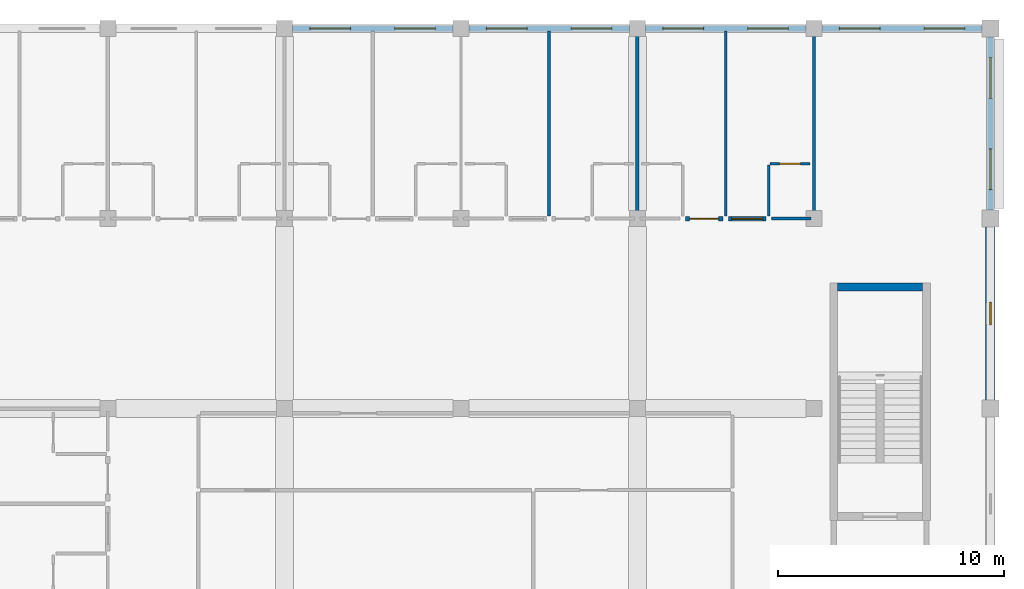
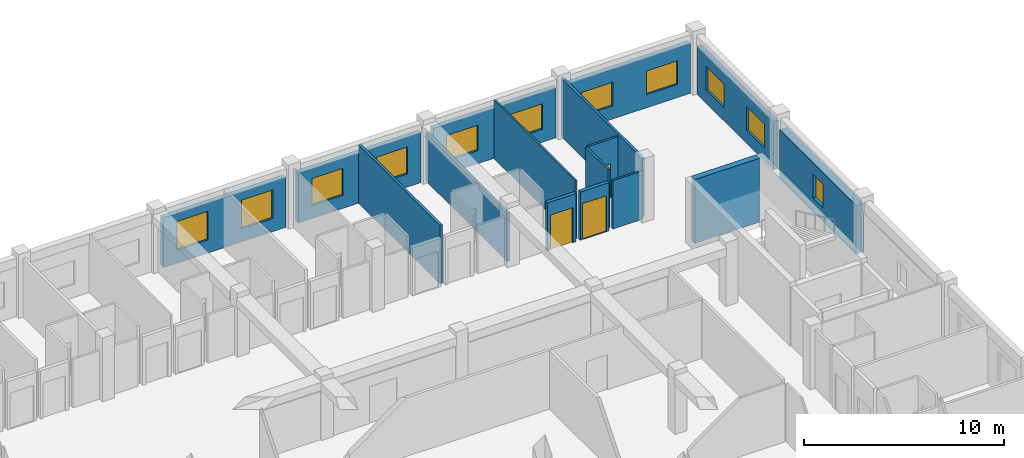
# One storey, part 63 of 72: 16 walls, 11 windows, 3 doors, 14 openings.
"""IFC4 building model written with IfcOpenShell, lengths in metres."""

from ifc_helpers import new_model, si_unit, direction, frame, frame_2d, origin, place, context, subcontext, project, spatial, rectangle, extrude, material, layer, layer_set, type_object, element, fill, save


model = new_model("IFC4")

# Units and contexts
model_context = context("Model", 3, precision=1e-05, world=origin(), true_north=direction((0.0, 1.0)))
body_context = subcontext(model_context, "Body", "Model", "MODEL_VIEW")
ifc_project = project(units=[si_unit("LENGTHUNIT", "METRE"), si_unit("AREAUNIT", "SQUARE_METRE"), si_unit("VOLUMEUNIT", "CUBIC_METRE"), si_unit("PLANEANGLEUNIT", "RADIAN"), si_unit("MASSUNIT", "GRAM", prefix="KILO"), si_unit("THERMODYNAMICTEMPERATUREUNIT", "KELVIN"), si_unit("POWERUNIT", "WATT")], contexts=[model_context])

# Site, building, storey
site_placement = place(None, origin())
site = spatial("IfcSite", under=ifc_project, at=site_placement, CompositionType="ELEMENT")
building_placement = place(site_placement, origin())
building = spatial("IfcBuilding", under=site, at=building_placement, Name="Srebrne Nadtorze General Hospital", CompositionType="ELEMENT")
storey_placement = place(building_placement, frame((0.0, 0.0, 22.199951171875)))
storey = spatial("IfcBuildingStorey", under=building, at=storey_placement, Name="L05", CompositionType="ELEMENT", Elevation=22.199951171875)

# Wall, opening, window
ifc_material_1 = material(Name="Concrete C40/50", Category="concrete")
ifc_layer_1 = layer(ifc_material_1, 0.419921875)
ifc_layer_set_1 = layer_set([ifc_layer_1], Name="Concrete C40/50")
wall_type_1 = type_object("IfcWallType", Name="Acoustic buffer wall 420", PredefinedType="SOLIDWALL", material=ifc_layer_set_1)
wall_1_placement = place(storey_placement, frame((148.199951171875, 75.97509765625, 0.0), z_axis=(0.0, 0.0, 1.0), x_axis=(0.0, 1.0, 0.0)))
wall_1 = element("IfcWall", 1, at=wall_1_placement, inside=storey, type_object=wall_type_1, Name="Exterior wall WL-ENV-L05-0458", PredefinedType="SOLIDWALL", context=body_context, shape_type="SweptSolid", body=[
    extrude(rectangle(XDim=7.64990234375, YDim=0.419921875, at=frame_2d((3.824951171875, 0.0))), origin(), (0.0, 0.0, 1.0), 2.949951171875),
])
opening_1_placement = place(wall_1_placement, frame((3.324951171875, 0.0, 0.800048828125)))
opening_1 = element("IfcOpeningElement", 2, at=opening_1_placement, cuts=wall_1, Name="Opening WN-L05-0750", PredefinedType="OPENING", context=body_context, shape_type="SweptSolid", body=[
    extrude(rectangle(XDim=1.0, YDim=1.449951171875, at=frame_2d((0.5, 0.72509765625))), frame((0.0, 0.221923828125, 0.0), z_axis=(0.0, -1.0, 0.0), x_axis=(1.0, 0.0, 0.0)), (0.0, 0.0, 1.0), 0.44384765625),
])
ifc_material_2 = material(Name="Triple Low-E Glazing", Category="glass")
window_type_1 = type_object("IfcWindowType", Name="Punched clinical window 1000x1450", PartitioningType="SINGLE_PANEL", PredefinedType="WINDOW", material=ifc_material_2)
window_1_placement = place(opening_1_placement, origin())
window_1 = element("IfcWindow", 3, at=window_1_placement, inside=storey, type_object=window_type_1, Name="Clinical window WN-L05-0750", OverallHeight=1.449951171875, OverallWidth=1.0, PartitioningType="SINGLE_PANEL", PredefinedType="WINDOW", context=body_context, shape_type="SweptSolid", body=[
    extrude(rectangle(XDim=1.0, YDim=1.449951171875, at=frame_2d((0.5, 0.72509765625))), frame((0.0, 0.030029296875, 0.0), z_axis=(0.0, -1.0, 0.0), x_axis=(1.0, 0.0, 0.0)), (0.0, 0.0, 1.0), 0.06005859375),
])
fill(opening_1, window_1)

# Walls
ifc_material_3 = material(Name="Gypsum Healthcare Partition")
ifc_layer_2 = layer(ifc_material_3, 0.139892578125)
ifc_layer_set_2 = layer_set([ifc_layer_2], Name="Gypsum Healthcare Partition")
wall_type_2 = type_object("IfcWallType", Name="Clinical partition 140", PredefinedType="PARTITIONING", material=ifc_layer_set_2)
for number, where, z_axis, x_axis, name in (
    (4, (128.699951171875, 84.1201171875, 0.0), (0.0, 0.0, 1.0), (0.0, 1.0, 0.0), "Ward inter-room partition WL-INT-L05-2034"),
    (5, (140.39990234375, 84.1201171875, 0.0), (0.0, 0.0, 1.0), (0.0, 1.0, 0.0), "Ward inter-room partition WL-INT-L05-2049"),
):
    element("IfcWall", number, at=place(storey_placement, frame(where, z_axis=z_axis, x_axis=x_axis)), inside=storey, type_object=wall_type_2, Name=name, PredefinedType="PARTITIONING", context=body_context, shape_type="SweptSolid", body=[
        extrude(rectangle(XDim=8.159912109375, YDim=0.139892578125, at=frame_2d((4.080078125, 0.0))), origin(), (0.0, 0.0, 1.0), 3.580078125),
    ])
ifc_material_4 = material(Name="Gypsum Healthcare Partition")
ifc_layer_3 = layer(ifc_material_4, 0.159912109375)
ifc_layer_set_3 = layer_set([ifc_layer_3], Name="Gypsum Healthcare Partition")
wall_type_3 = type_object("IfcWallType", Name="Clinical partition 160", PredefinedType="PARTITIONING", material=ifc_layer_set_3)
wall_2_placement = place(storey_placement, frame((132.60009765625, 84.1201171875, 0.0), z_axis=(0.0, 0.0, 1.0), x_axis=(0.0, 1.0, 0.0)))
element("IfcWall", 6, at=wall_2_placement, inside=storey, type_object=wall_type_3, Name="Ward inter-room partition WL-INT-L05-2039", PredefinedType="PARTITIONING", context=body_context, shape_type="SweptSolid", body=[
    extrude(rectangle(XDim=8.159912109375, YDim=0.159912109375, at=frame_2d((4.080078125, 0.0))), origin(), (0.0, 0.0, 1.0), 2.949951171875),
])

# Wall, opening, door
ifc_material_5 = material(Name="Gypsum Healthcare Partition")
ifc_layer_4 = layer(ifc_material_5, 0.199951171875)
ifc_layer_set_4 = layer_set([ifc_layer_4], Name="Gypsum Healthcare Partition")
wall_type_4 = type_object("IfcWallType", Name="Compartment wall 200", PredefinedType="STANDARD", material=ifc_layer_set_4)
wall_3_placement = place(storey_placement, frame((134.719970703125, 84.0, 0.0), z_axis=(0.0, 0.0, 1.0), x_axis=(1.0, 0.0, 0.0)))
wall_3 = element("IfcWall", 7, at=wall_3_placement, inside=storey, type_object=wall_type_4, Name="Ward corridor wall WL-INT-L05-2045", PredefinedType="STANDARD", context=body_context, shape_type="SweptSolid", body=[
    extrude(rectangle(XDim=1.659912109375, YDim=0.199951171875, at=frame_2d((0.830078125, 0.0))), origin(), (0.0, 0.0, 1.0), 2.949951171875),
])
opening_2_placement = place(wall_3_placement, frame((0.18994140625, 0.0, 0.0)))
opening_2 = element("IfcOpeningElement", 8, at=opening_2_placement, cuts=wall_3, Name="Opening D-L05-0422", PredefinedType="OPENING", context=body_context, shape_type="SweptSolid", body=[
    extrude(rectangle(XDim=1.280029296875, YDim=2.14990234375, at=frame_2d((0.64013671875, 1.074951171875))), frame((0.0, 0.11181640625, 0.0), z_axis=(0.0, -1.0, 0.0), x_axis=(1.0, 0.0, 0.0)), (0.0, 0.0, 1.0), 0.223876953125),
])
ifc_material_6 = material(Name="Anodised Aluminium", Category="aluminium")
door_type_1 = type_object("IfcDoorType", Name="Single leaf door 1280x2150", OperationType="NOTDEFINED", PredefinedType="DOOR", material=ifc_material_6)
door_1_placement = place(opening_2_placement, origin())
door_1 = element("IfcDoor", 9, at=door_1_placement, inside=storey, type_object=door_type_1, Name="Ward patient room door D-L05-0422", OperationType="SINGLE_SWING_LEFT", OverallHeight=2.14990234375, OverallWidth=1.280029296875, PredefinedType="DOOR", context=body_context, shape_type="SweptSolid", body=[
    extrude(rectangle(XDim=1.280029296875, YDim=2.14990234375, at=frame_2d((0.64013671875, 1.074951171875))), frame((0.0, 0.02490234375, 0.0), z_axis=(0.0, -1.0, 0.0), x_axis=(1.0, 0.0, 0.0)), (0.0, 0.0, 1.0), 0.050048828125),
])
fill(opening_2, door_1)

wall_4_placement = place(storey_placement, frame((136.6201171875, 84.0, 0.0), z_axis=(0.0, 0.0, 1.0), x_axis=(1.0, 0.0, 0.0)))
wall_4 = element("IfcWall", 10, at=wall_4_placement, inside=storey, type_object=wall_type_4, Name="Ward corridor wall WL-INT-L05-2050", PredefinedType="STANDARD", context=body_context, shape_type="SweptSolid", body=[
    extrude(rectangle(XDim=1.659912109375, YDim=0.199951171875, at=frame_2d((0.830078125, 0.0))), origin(), (0.0, 0.0, 1.0), 2.949951171875),
])
opening_3_placement = place(wall_4_placement, frame((0.139892578125, 0.0, 0.0)))
opening_3 = element("IfcOpeningElement", 11, at=opening_3_placement, cuts=wall_4, Name="Opening D-L05-0424", PredefinedType="OPENING", context=body_context, shape_type="SweptSolid", body=[
    extrude(rectangle(XDim=1.3798828125, YDim=2.199951171875, at=frame_2d((0.68994140625, 1.10009765625))), frame((0.0, 0.11181640625, 0.0), z_axis=(0.0, -1.0, 0.0), x_axis=(1.0, 0.0, 0.0)), (0.0, 0.0, 1.0), 0.223876953125),
])
ifc_material_7 = material(Name="Anodised Aluminium", Category="aluminium")
door_type_2 = type_object("IfcDoorType", Name="Single leaf door 1380x2200", OperationType="NOTDEFINED", PredefinedType="DOOR", material=ifc_material_7)
door_2_placement = place(opening_3_placement, origin())
door_2 = element("IfcDoor", 12, at=door_2_placement, inside=storey, type_object=door_type_2, Name="Ward patient room door D-L05-0424", OperationType="SINGLE_SWING_LEFT", OverallHeight=2.199951171875, OverallWidth=1.3798828125, PredefinedType="DOOR", context=body_context, shape_type="SweptSolid", body=[
    extrude(rectangle(XDim=1.3798828125, YDim=2.199951171875, at=frame_2d((0.68994140625, 1.10009765625))), frame((0.0, 0.02490234375, 0.0), z_axis=(0.0, -1.0, 0.0), x_axis=(1.0, 0.0, 0.0)), (0.0, 0.0, 1.0), 0.050048828125),
])
fill(opening_3, door_2)

# Walls
ifc_material_8 = material(Name="Gypsum Healthcare Partition")
ifc_layer_5 = layer(ifc_material_8, 0.1201171875)
ifc_layer_set_5 = layer_set([ifc_layer_5], Name="Gypsum Healthcare Partition")
wall_type_5 = type_object("IfcWallType", Name="En-suite partition 120", PredefinedType="PARTITIONING", material=ifc_layer_set_5)
wall_5_placement = place(storey_placement, frame((138.52001953125, 84.0, 0.0), z_axis=(0.0, 0.0, 1.0), x_axis=(1.0, 0.0, 0.0)))
element("IfcWall", 13, at=wall_5_placement, inside=storey, type_object=wall_type_5, Name="En-suite corridor wall WL-INT-L05-2051", PredefinedType="PARTITIONING", context=body_context, shape_type="SweptSolid", body=[
    extrude(rectangle(XDim=1.760009765625, YDim=0.1201171875, at=frame_2d((0.8798828125, 0.0))), origin(), (0.0, 0.0, 1.0), 2.949951171875),
])
wall_6_placement = place(storey_placement, frame((138.39990234375, 84.1201171875, 0.0), z_axis=(0.0, 0.0, 1.0), x_axis=(0.0, 1.0, 0.0)))
element("IfcWall", 14, at=wall_6_placement, inside=storey, type_object=wall_type_5, Name="En-suite wet wall WL-INT-L05-2052", PredefinedType="PARTITIONING", context=body_context, shape_type="SweptSolid", body=[
    extrude(rectangle(XDim=2.239990234375, YDim=0.1201171875, at=frame_2d((1.1201171875, 0.0))), origin(), (0.0, 0.0, 1.0), 3.580078125),
])

# Wall, opening, door
wall_7_placement = place(storey_placement, frame((138.4599609375, 86.419921875, 0.0), z_axis=(0.0, 0.0, 1.0), x_axis=(1.0, 0.0, 0.0)))
wall_7 = element("IfcWall", 15, at=wall_7_placement, inside=storey, type_object=wall_type_5, Name="En-suite wet wall WL-INT-L05-2053", PredefinedType="PARTITIONING", context=body_context, shape_type="SweptSolid", body=[
    extrude(rectangle(XDim=1.760009765625, YDim=0.1201171875, at=frame_2d((0.8798828125, 0.0))), origin(), (0.0, 0.0, 1.0), 3.580078125),
])
opening_4_placement = place(wall_7_placement, frame((0.419921875, 0.0, 0.0)))
opening_4 = element("IfcOpeningElement", 16, at=opening_4_placement, cuts=wall_7, Name="Opening D-L05-0425", PredefinedType="OPENING", context=body_context, shape_type="SweptSolid", body=[
    extrude(rectangle(XDim=0.919921875, YDim=2.080078125, at=frame_2d((0.4599609375, 1.0400390625))), frame((0.0, 0.072021484375, 0.0), z_axis=(0.0, -1.0, 0.0), x_axis=(1.0, 0.0, 0.0)), (0.0, 0.0, 1.0), 0.14404296875),
])
ifc_material_9 = material(Name="Anodised Aluminium", Category="aluminium")
door_type_3 = type_object("IfcDoorType", Name="Single leaf door 920x2080", OperationType="NOTDEFINED", PredefinedType="DOOR", material=ifc_material_9)
door_3_placement = place(opening_4_placement, frame((0.919921875, 0.0, 0.0), z_axis=(0.0, 0.0, 1.0), x_axis=(-1.0, 0.0, 0.0)))
door_3 = element("IfcDoor", 17, at=door_3_placement, inside=storey, type_object=door_type_3, Name="En-suite bathroom door D-L05-0425", OperationType="SINGLE_SWING_LEFT", OverallHeight=2.080078125, OverallWidth=0.919921875, PredefinedType="DOOR", context=body_context, shape_type="SweptSolid", body=[
    extrude(rectangle(XDim=0.919921875, YDim=2.080078125, at=frame_2d((0.4599609375, 1.0400390625))), frame((0.0, 0.02490234375, 0.0), z_axis=(0.0, -1.0, 0.0), x_axis=(1.0, 0.0, 0.0)), (0.0, 0.0, 1.0), 0.050048828125),
])
fill(opening_4, door_3)

# Walls
ifc_material_10 = material(Name="Gypsum Healthcare Partition")
ifc_layer_6 = layer(ifc_material_10, 0.10009765625)
ifc_layer_set_6 = layer_set([ifc_layer_6], Name="Gypsum Healthcare Partition")
wall_type_6 = type_object("IfcWallType", Name="Shaft lining wall 100", PredefinedType="PARTITIONING", material=ifc_layer_set_6)
wall_8_placement = place(storey_placement, frame((136.5, 84.1201171875, 0.0), z_axis=(0.0, 0.0, 1.0), x_axis=(0.0, 1.0, 0.0)))
element("IfcWall", 18, at=wall_8_placement, inside=storey, type_object=wall_type_6, Name="Ward inter-room partition WL-INT-L05-2044", PredefinedType="PARTITIONING", context=body_context, shape_type="SweptSolid", body=[
    extrude(rectangle(XDim=8.159912109375, YDim=0.10009765625, at=frame_2d((4.080078125, 0.0))), origin(), (0.0, 0.0, 1.0), 3.580078125),
])
ifc_material_11 = material(Name="Concrete C40/50", Category="concrete")
ifc_layer_7 = layer(ifc_material_11, 0.35009765625)
ifc_layer_set_7 = layer_set([ifc_layer_7], Name="Concrete C40/50")
wall_type_7 = type_object("IfcWallType", Name="Shear core wall 350", PredefinedType="SHEAR", material=ifc_layer_set_7)
wall_9_placement = place(storey_placement, frame((141.449951171875, 80.97509765625, 0.0), z_axis=(0.0, 0.0, 1.0), x_axis=(1.0, 0.0, 0.0)))
element("IfcWall", 19, at=wall_9_placement, inside=storey, type_object=wall_type_7, Name="Stair core wall ST-04 WL-INT-L05-0363", PredefinedType="SHEAR", context=body_context, shape_type="SweptSolid", body=[
    extrude(rectangle(XDim=3.75, YDim=0.35009765625, at=frame_2d((1.875, 0.0))), origin(), (0.0, 0.0, 1.0), 3.900146484375),
])

# Wall, openings, windows
ifc_material_12 = material(Name="Concrete C35/45 precast", Category="concrete")
ifc_layer_8 = layer(ifc_material_12, 0.280029296875)
ifc_layer_set_8 = layer_set([ifc_layer_8], Name="Concrete C35/45 precast")
wall_type_8 = type_object("IfcWallType", Name="Spandrel wall 280", PredefinedType="STANDARD", material=ifc_layer_set_8)
wall_10_placement = place(storey_placement, frame((117.35009765625, 92.39990234375, 0.0), z_axis=(0.0, 0.0, 1.0), x_axis=(1.0, 0.0, 0.0)))
wall_10 = element("IfcWall", 20, at=wall_10_placement, inside=storey, type_object=wall_type_8, Name="Exterior wall WL-ENV-L05-0420", PredefinedType="STANDARD", context=body_context, shape_type="SweptSolid", body=[
    extrude(rectangle(XDim=7.099853515625, YDim=0.280029296875, at=frame_2d((3.5498046875, 0.0))), origin(), (0.0, 0.0, 1.0), 3.050048828125),
])
opening_5_placement = place(wall_10_placement, frame((0.778076171875, 0.0, 0.800048828125)))
opening_5 = element("IfcOpeningElement", 21, at=opening_5_placement, cuts=wall_10, Name="Opening WN-L05-0671", PredefinedType="OPENING", context=body_context, shape_type="SweptSolid", body=[
    extrude(rectangle(XDim=1.800048828125, YDim=1.75, at=frame_2d((0.89990234375, 0.875))), frame((0.0, 0.15185546875, 0.0), z_axis=(0.0, -1.0, 0.0), x_axis=(1.0, 0.0, 0.0)), (0.0, 0.0, 1.0), 0.303955078125),
])
opening_6_placement = place(wall_10_placement, frame((4.52197265625, 0.0, 0.800048828125)))
opening_6 = element("IfcOpeningElement", 22, at=opening_6_placement, cuts=wall_10, Name="Opening WN-L05-0672", PredefinedType="OPENING", context=body_context, shape_type="SweptSolid", body=[
    extrude(rectangle(XDim=1.800048828125, YDim=1.75, at=frame_2d((0.89990234375, 0.875))), frame((0.0, 0.15185546875, 0.0), z_axis=(0.0, -1.0, 0.0), x_axis=(1.0, 0.0, 0.0)), (0.0, 0.0, 1.0), 0.303955078125),
])
ifc_material_13 = material(Name="Triple Low-E Glazing", Category="glass")
window_type_2 = type_object("IfcWindowType", Name="Punched clinical window 1800x1750", PartitioningType="DOUBLE_PANEL_VERTICAL", PredefinedType="WINDOW", material=ifc_material_13)
window_2_placement = place(opening_5_placement, origin())
window_2 = element("IfcWindow", 23, at=window_2_placement, inside=storey, type_object=window_type_2, Name="Clinical window WN-L05-0671", OverallHeight=1.75, OverallWidth=1.800048828125, PartitioningType="DOUBLE_PANEL_VERTICAL", PredefinedType="WINDOW", context=body_context, shape_type="SweptSolid", body=[
    extrude(rectangle(XDim=1.800048828125, YDim=1.75, at=frame_2d((0.89990234375, 0.875))), frame((0.0, 0.030029296875, 0.0), z_axis=(0.0, -1.0, 0.0), x_axis=(1.0, 0.0, 0.0)), (0.0, 0.0, 1.0), 0.06005859375),
])
fill(opening_5, window_2)
window_3_placement = place(opening_6_placement, origin())
window_3 = element("IfcWindow", 24, at=window_3_placement, inside=storey, type_object=window_type_2, Name="Clinical window WN-L05-0672", OverallHeight=1.75, OverallWidth=1.800048828125, PartitioningType="DOUBLE_PANEL_VERTICAL", PredefinedType="WINDOW", context=body_context, shape_type="SweptSolid", body=[
    extrude(rectangle(XDim=1.800048828125, YDim=1.75, at=frame_2d((0.89990234375, 0.875))), frame((0.0, 0.030029296875, 0.0), z_axis=(0.0, -1.0, 0.0), x_axis=(1.0, 0.0, 0.0)), (0.0, 0.0, 1.0), 0.06005859375),
])
fill(opening_6, window_3)

wall_11_placement = place(storey_placement, frame((125.14990234375, 92.39990234375, 0.0), z_axis=(0.0, 0.0, 1.0), x_axis=(1.0, 0.0, 0.0)))
wall_11 = element("IfcWall", 25, at=wall_11_placement, inside=storey, type_object=wall_type_8, Name="Exterior wall WL-ENV-L05-0421", PredefinedType="STANDARD", context=body_context, shape_type="SweptSolid", body=[
    extrude(rectangle(XDim=7.10009765625, YDim=0.280029296875, at=frame_2d((3.550048828125, 0.0))), origin(), (0.0, 0.0, 1.0), 3.050048828125),
])
opening_7_placement = place(wall_11_placement, frame((0.778076171875, 0.0, 0.800048828125)))
opening_7 = element("IfcOpeningElement", 26, at=opening_7_placement, cuts=wall_11, Name="Opening WN-L05-0673", PredefinedType="OPENING", context=body_context, shape_type="SweptSolid", body=[
    extrude(rectangle(XDim=1.800048828125, YDim=1.64990234375, at=frame_2d((0.89990234375, 0.824951171875))), frame((0.0, 0.15185546875, 0.0), z_axis=(0.0, -1.0, 0.0), x_axis=(1.0, 0.0, 0.0)), (0.0, 0.0, 1.0), 0.303955078125),
])
opening_8_placement = place(wall_11_placement, frame((4.52197265625, 0.0, 0.800048828125)))
opening_8 = element("IfcOpeningElement", 27, at=opening_8_placement, cuts=wall_11, Name="Opening WN-L05-0674", PredefinedType="OPENING", context=body_context, shape_type="SweptSolid", body=[
    extrude(rectangle(XDim=1.800048828125, YDim=1.64990234375, at=frame_2d((0.89990234375, 0.824951171875))), frame((0.0, 0.15185546875, 0.0), z_axis=(0.0, -1.0, 0.0), x_axis=(1.0, 0.0, 0.0)), (0.0, 0.0, 1.0), 0.303955078125),
])
ifc_material_14 = material(Name="Triple Low-E Glazing", Category="glass")
window_type_3 = type_object("IfcWindowType", Name="Punched clinical window 1800x1650", PartitioningType="DOUBLE_PANEL_VERTICAL", PredefinedType="WINDOW", material=ifc_material_14)
window_4_placement = place(opening_7_placement, origin())
window_4 = element("IfcWindow", 28, at=window_4_placement, inside=storey, type_object=window_type_3, Name="Clinical window WN-L05-0673", OverallHeight=1.64990234375, OverallWidth=1.800048828125, PartitioningType="DOUBLE_PANEL_VERTICAL", PredefinedType="WINDOW", context=body_context, shape_type="SweptSolid", body=[
    extrude(rectangle(XDim=1.800048828125, YDim=1.64990234375, at=frame_2d((0.89990234375, 0.824951171875))), frame((0.0, 0.030029296875, 0.0), z_axis=(0.0, -1.0, 0.0), x_axis=(1.0, 0.0, 0.0)), (0.0, 0.0, 1.0), 0.06005859375),
])
fill(opening_7, window_4)
window_5_placement = place(opening_8_placement, origin())
window_5 = element("IfcWindow", 29, at=window_5_placement, inside=storey, type_object=window_type_3, Name="Clinical window WN-L05-0674", OverallHeight=1.64990234375, OverallWidth=1.800048828125, PartitioningType="DOUBLE_PANEL_VERTICAL", PredefinedType="WINDOW", context=body_context, shape_type="SweptSolid", body=[
    extrude(rectangle(XDim=1.800048828125, YDim=1.64990234375, at=frame_2d((0.89990234375, 0.824951171875))), frame((0.0, 0.030029296875, 0.0), z_axis=(0.0, -1.0, 0.0), x_axis=(1.0, 0.0, 0.0)), (0.0, 0.0, 1.0), 0.06005859375),
])
fill(opening_8, window_5)

wall_12_placement = place(storey_placement, frame((132.949951171875, 92.39990234375, 0.0), z_axis=(0.0, 0.0, 1.0), x_axis=(1.0, 0.0, 0.0)))
wall_12 = element("IfcWall", 30, at=wall_12_placement, inside=storey, type_object=wall_type_8, Name="Exterior wall WL-ENV-L05-0422", PredefinedType="STANDARD", context=body_context, shape_type="SweptSolid", body=[
    extrude(rectangle(XDim=7.10009765625, YDim=0.280029296875, at=frame_2d((3.550048828125, 0.0))), origin(), (0.0, 0.0, 1.0), 3.050048828125),
])
opening_9_placement = place(wall_12_placement, frame((0.778076171875, 0.0, 0.800048828125)))
opening_9 = element("IfcOpeningElement", 31, at=opening_9_placement, cuts=wall_12, Name="Opening WN-L05-0675", PredefinedType="OPENING", context=body_context, shape_type="SweptSolid", body=[
    extrude(rectangle(XDim=1.800048828125, YDim=1.550048828125, at=frame_2d((0.89990234375, 0.77490234375))), frame((0.0, 0.15185546875, 0.0), z_axis=(0.0, -1.0, 0.0), x_axis=(1.0, 0.0, 0.0)), (0.0, 0.0, 1.0), 0.303955078125),
])
opening_10_placement = place(wall_12_placement, frame((4.52197265625, 0.0, 0.800048828125)))
opening_10 = element("IfcOpeningElement", 32, at=opening_10_placement, cuts=wall_12, Name="Opening WN-L05-0676", PredefinedType="OPENING", context=body_context, shape_type="SweptSolid", body=[
    extrude(rectangle(XDim=1.800048828125, YDim=1.550048828125, at=frame_2d((0.89990234375, 0.77490234375))), frame((0.0, 0.15185546875, 0.0), z_axis=(0.0, -1.0, 0.0), x_axis=(1.0, 0.0, 0.0)), (0.0, 0.0, 1.0), 0.303955078125),
])
ifc_material_15 = material(Name="Triple Low-E Glazing", Category="glass")
window_type_4 = type_object("IfcWindowType", Name="Punched clinical window 1800x1550", PartitioningType="DOUBLE_PANEL_VERTICAL", PredefinedType="WINDOW", material=ifc_material_15)
window_6_placement = place(opening_9_placement, origin())
window_6 = element("IfcWindow", 33, at=window_6_placement, inside=storey, type_object=window_type_4, Name="Clinical window WN-L05-0675", OverallHeight=1.550048828125, OverallWidth=1.800048828125, PartitioningType="DOUBLE_PANEL_VERTICAL", PredefinedType="WINDOW", context=body_context, shape_type="SweptSolid", body=[
    extrude(rectangle(XDim=1.800048828125, YDim=1.550048828125, at=frame_2d((0.89990234375, 0.77490234375))), frame((0.0, 0.030029296875, 0.0), z_axis=(0.0, -1.0, 0.0), x_axis=(1.0, 0.0, 0.0)), (0.0, 0.0, 1.0), 0.06005859375),
])
fill(opening_9, window_6)
window_7_placement = place(opening_10_placement, origin())
window_7 = element("IfcWindow", 34, at=window_7_placement, inside=storey, type_object=window_type_4, Name="Clinical window WN-L05-0676", OverallHeight=1.550048828125, OverallWidth=1.800048828125, PartitioningType="DOUBLE_PANEL_VERTICAL", PredefinedType="WINDOW", context=body_context, shape_type="SweptSolid", body=[
    extrude(rectangle(XDim=1.800048828125, YDim=1.550048828125, at=frame_2d((0.89990234375, 0.77490234375))), frame((0.0, 0.030029296875, 0.0), z_axis=(0.0, -1.0, 0.0), x_axis=(1.0, 0.0, 0.0)), (0.0, 0.0, 1.0), 0.06005859375),
])
fill(opening_10, window_7)

wall_13_placement = place(storey_placement, frame((140.75, 92.39990234375, 0.0), z_axis=(0.0, 0.0, 1.0), x_axis=(1.0, 0.0, 0.0)))
wall_13 = element("IfcWall", 35, at=wall_13_placement, inside=storey, type_object=wall_type_8, Name="Exterior wall WL-ENV-L05-0423", PredefinedType="STANDARD", context=body_context, shape_type="SweptSolid", body=[
    extrude(rectangle(XDim=7.074951171875, YDim=0.280029296875, at=frame_2d((3.53759765625, 0.0))), origin(), (0.0, 0.0, 1.0), 3.050048828125),
])
opening_11_placement = place(wall_13_placement, frame((0.778076171875, 0.0, 0.800048828125)))
opening_11 = element("IfcOpeningElement", 36, at=opening_11_placement, cuts=wall_13, Name="Opening WN-L05-0677", PredefinedType="OPENING", context=body_context, shape_type="SweptSolid", body=[
    extrude(rectangle(XDim=1.800048828125, YDim=1.449951171875, at=frame_2d((0.89990234375, 0.72509765625))), frame((0.0, 0.15185546875, 0.0), z_axis=(0.0, -1.0, 0.0), x_axis=(1.0, 0.0, 0.0)), (0.0, 0.0, 1.0), 0.303955078125),
])
opening_12_placement = place(wall_13_placement, frame((4.52197265625, 0.0, 0.800048828125)))
opening_12 = element("IfcOpeningElement", 37, at=opening_12_placement, cuts=wall_13, Name="Opening WN-L05-0678", PredefinedType="OPENING", context=body_context, shape_type="SweptSolid", body=[
    extrude(rectangle(XDim=1.800048828125, YDim=1.449951171875, at=frame_2d((0.89990234375, 0.72509765625))), frame((0.0, 0.15185546875, 0.0), z_axis=(0.0, -1.0, 0.0), x_axis=(1.0, 0.0, 0.0)), (0.0, 0.0, 1.0), 0.303955078125),
])
ifc_material_16 = material(Name="Triple Low-E Glazing", Category="glass")
window_type_5 = type_object("IfcWindowType", Name="Punched clinical window 1800x1450", PartitioningType="DOUBLE_PANEL_VERTICAL", PredefinedType="WINDOW", material=ifc_material_16)
window_8_placement = place(opening_11_placement, origin())
window_8 = element("IfcWindow", 38, at=window_8_placement, inside=storey, type_object=window_type_5, Name="Clinical window WN-L05-0677", OverallHeight=1.449951171875, OverallWidth=1.800048828125, PartitioningType="DOUBLE_PANEL_VERTICAL", PredefinedType="WINDOW", context=body_context, shape_type="SweptSolid", body=[
    extrude(rectangle(XDim=1.800048828125, YDim=1.449951171875, at=frame_2d((0.89990234375, 0.72509765625))), frame((0.0, 0.030029296875, 0.0), z_axis=(0.0, -1.0, 0.0), x_axis=(1.0, 0.0, 0.0)), (0.0, 0.0, 1.0), 0.06005859375),
])
fill(opening_11, window_8)
window_9_placement = place(opening_12_placement, origin())
window_9 = element("IfcWindow", 39, at=window_9_placement, inside=storey, type_object=window_type_5, Name="Clinical window WN-L05-0678", OverallHeight=1.449951171875, OverallWidth=1.800048828125, PartitioningType="DOUBLE_PANEL_VERTICAL", PredefinedType="WINDOW", context=body_context, shape_type="SweptSolid", body=[
    extrude(rectangle(XDim=1.800048828125, YDim=1.449951171875, at=frame_2d((0.89990234375, 0.72509765625))), frame((0.0, 0.030029296875, 0.0), z_axis=(0.0, -1.0, 0.0), x_axis=(1.0, 0.0, 0.0)), (0.0, 0.0, 1.0), 0.06005859375),
])
fill(opening_12, window_9)

wall_14_placement = place(storey_placement, frame((148.199951171875, 84.375, 0.0), z_axis=(0.0, 0.0, 1.0), x_axis=(0.0, 1.0, 0.0)))
wall_14 = element("IfcWall", 40, at=wall_14_placement, inside=storey, type_object=wall_type_8, Name="Exterior wall WL-ENV-L05-0459", PredefinedType="STANDARD", context=body_context, shape_type="SweptSolid", body=[
    extrude(rectangle(XDim=7.64990234375, YDim=0.280029296875, at=frame_2d((3.824951171875, 0.0))), origin(), (0.0, 0.0, 1.0), 2.949951171875),
])
opening_13_placement = place(wall_14_placement, frame((0.908935546875, 0.0, 0.800048828125)))
opening_13 = element("IfcOpeningElement", 41, at=opening_13_placement, cuts=wall_14, Name="Opening WN-L05-0751", PredefinedType="OPENING", context=body_context, shape_type="SweptSolid", body=[
    extrude(rectangle(XDim=1.800048828125, YDim=1.449951171875, at=frame_2d((0.89990234375, 0.72509765625))), frame((0.0, 0.15185546875, 0.0), z_axis=(0.0, -1.0, 0.0), x_axis=(1.0, 0.0, 0.0)), (0.0, 0.0, 1.0), 0.303955078125),
])
opening_14_placement = place(wall_14_placement, frame((4.94091796875, 0.0, 0.800048828125)))
opening_14 = element("IfcOpeningElement", 42, at=opening_14_placement, cuts=wall_14, Name="Opening WN-L05-0752", PredefinedType="OPENING", context=body_context, shape_type="SweptSolid", body=[
    extrude(rectangle(XDim=1.800048828125, YDim=1.449951171875, at=frame_2d((0.89990234375, 0.72509765625))), frame((0.0, 0.15185546875, 0.0), z_axis=(0.0, -1.0, 0.0), x_axis=(1.0, 0.0, 0.0)), (0.0, 0.0, 1.0), 0.303955078125),
])
window_10_placement = place(opening_13_placement, origin())
window_10 = element("IfcWindow", 43, at=window_10_placement, inside=storey, type_object=window_type_5, Name="Clinical window WN-L05-0751", OverallHeight=1.449951171875, OverallWidth=1.800048828125, PartitioningType="DOUBLE_PANEL_VERTICAL", PredefinedType="WINDOW", context=body_context, shape_type="SweptSolid", body=[
    extrude(rectangle(XDim=1.800048828125, YDim=1.449951171875, at=frame_2d((0.89990234375, 0.72509765625))), frame((0.0, 0.030029296875, 0.0), z_axis=(0.0, -1.0, 0.0), x_axis=(1.0, 0.0, 0.0)), (0.0, 0.0, 1.0), 0.06005859375),
])
fill(opening_13, window_10)
window_11_placement = place(opening_14_placement, origin())
window_11 = element("IfcWindow", 44, at=window_11_placement, inside=storey, type_object=window_type_5, Name="Clinical window WN-L05-0752", OverallHeight=1.449951171875, OverallWidth=1.800048828125, PartitioningType="DOUBLE_PANEL_VERTICAL", PredefinedType="WINDOW", context=body_context, shape_type="SweptSolid", body=[
    extrude(rectangle(XDim=1.800048828125, YDim=1.449951171875, at=frame_2d((0.89990234375, 0.72509765625))), frame((0.0, 0.030029296875, 0.0), z_axis=(0.0, -1.0, 0.0), x_axis=(1.0, 0.0, 0.0)), (0.0, 0.0, 1.0), 0.06005859375),
])
fill(opening_14, window_11)

save(model, "model.ifc")
